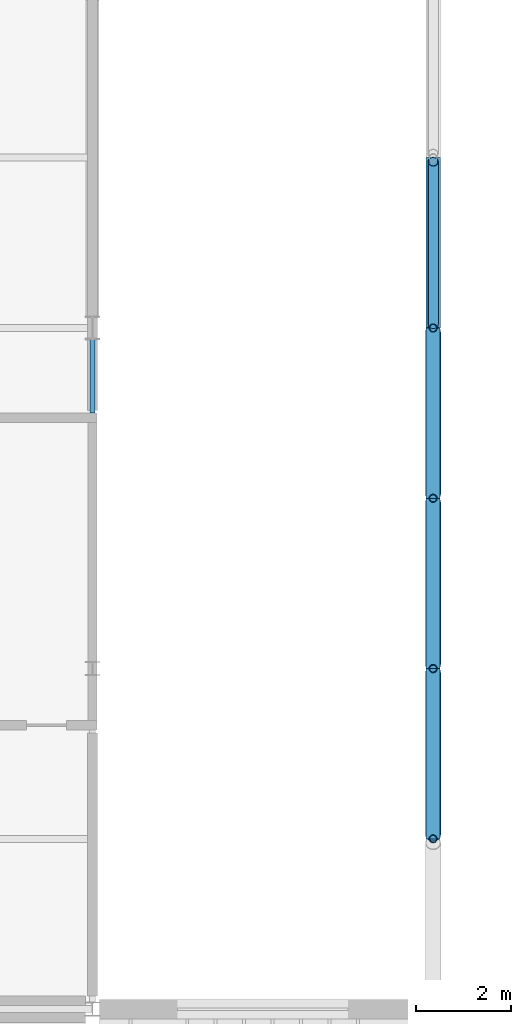
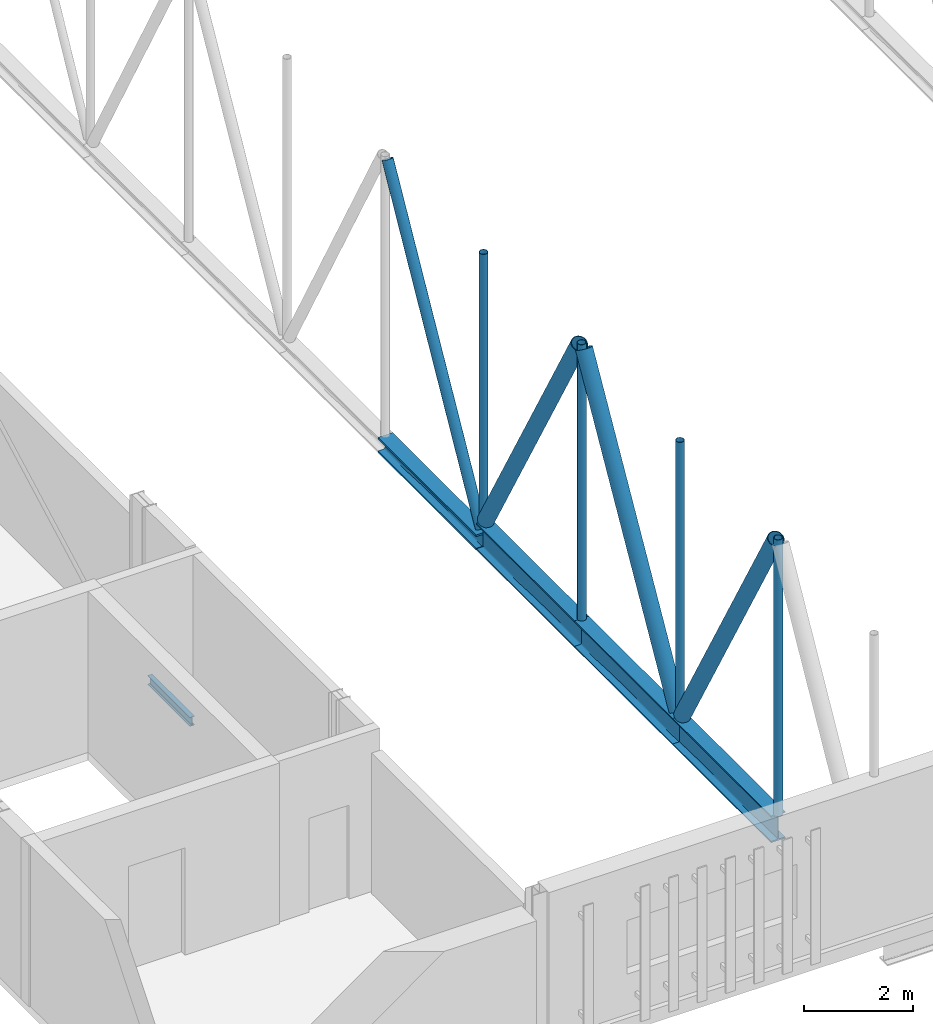
# One storey, part 32 of 142: 12 members, 1 beam.
"""IFC4 building model written with IfcOpenShell, lengths in metres."""

from ifc_helpers import new_model, si_unit, direction, frame, origin, origin_2d, place, context, subcontext, project, spatial, hollow_circle, i_section, extrude, material, material_profile, profile_set, type_object, element, save


model = new_model("IFC4")

# Units and contexts
model_context = context("Model", 3, precision=1e-05, world=origin(), true_north=direction((0.0, 1.0)))
body_context = subcontext(model_context, "Body", "Model", "MODEL_VIEW")
ifc_project = project(units=[si_unit("LENGTHUNIT", "METRE"), si_unit("AREAUNIT", "SQUARE_METRE"), si_unit("VOLUMEUNIT", "CUBIC_METRE"), si_unit("PLANEANGLEUNIT", "RADIAN"), si_unit("MASSUNIT", "GRAM", prefix="KILO")], contexts=[model_context])

# Site, building, storey
site_placement = place(None, origin())
site = spatial("IfcSite", under=ifc_project, at=site_placement, CompositionType="ELEMENT")
building_placement = place(site_placement, origin())
building = spatial("IfcBuilding", under=site, at=building_placement, Name="Kupolbacken Congress Centre", CompositionType="ELEMENT")
storey_placement = place(building_placement, frame((0.0, 0.0, 14.39990234375)))
storey = spatial("IfcBuildingStorey", under=building, at=storey_placement, Name="L04", CompositionType="ELEMENT", Elevation=14.39990234375)

# Beam
ifc_material_1 = material(Name="Steel S355", Category="steel")
ifc_material_profile_1 = material_profile(ifc_material_1, i_section(OverallWidth=0.10009765625, OverallDepth=0.199951171875, WebThickness=0.005615234375, FlangeThickness=0.008544921875, FilletRadius=0.011962890625, at=origin_2d()), Name="IPE 200")
ifc_profile_set_1 = profile_set([ifc_material_profile_1], Name="Steel S355")
beam_type = type_object("IfcBeamType", Name="B01 beam IPE 200", PredefinedType="BEAM", material=ifc_profile_set_1)
beam_placement = place(storey_placement, frame((86.39990234375, 55.800048828125, -0.27978515625), z_axis=(0.0, 1.0, 0.0), x_axis=(-1.0, 0.0, 0.0)))
element("IfcBeam", 1, at=beam_placement, inside=storey, type_object=beam_type, Name="S/floor/LINK/L04/E002", PredefinedType="BEAM", context=body_context, shape_type="SweptSolid", body=[
    extrude(i_section(OverallWidth=0.10009765625, OverallDepth=0.199951171875, WebThickness=0.005615234375, FlangeThickness=0.008544921875, FilletRadius=0.011962890625, at=origin_2d()), origin(), (0.0, 0.0, 1.0), 1.554931640625),
])

# Members
ifc_material_2 = material(Name="Steel S355", Category="steel")
ifc_material_profile_2 = material_profile(ifc_material_2, i_section(OverallWidth=0.31005859375, OverallDepth=0.340087890625, WebThickness=0.02099609375, FlangeThickness=0.0390625, FilletRadius=0.027099609375, at=origin_2d()), Name="HEM 300")
ifc_profile_set_2 = profile_set([ifc_material_profile_2], Name="Steel S355")
member_type_1 = type_object("IfcMemberType", Name="M01 transfer truss chord HEM 300", PredefinedType="CHORD", material=ifc_profile_set_2)
member_1_placement = place(storey_placement, frame((93.60009765625, 57.60009765625, 0.16015625), z_axis=(0.0, 1.0, 0.0), x_axis=(-1.0, 0.0, 0.0)))
element("IfcMember", 2, at=member_1_placement, inside=storey, type_object=member_type_1, Name="HT/T1/BC05", PredefinedType="CHORD", context=body_context, shape_type="SweptSolid", body=[
    extrude(i_section(OverallWidth=0.31005859375, OverallDepth=0.340087890625, WebThickness=0.02099609375, FlangeThickness=0.0390625, FilletRadius=0.027099609375, at=origin_2d()), origin(), (0.0, 0.0, 1.0), 3.599853515625),
])
ifc_material_3 = material(Name="Steel S355", Category="steel")
ifc_material_profile_3 = material_profile(ifc_material_3, i_section(OverallWidth=0.300048828125, OverallDepth=0.60009765625, WebThickness=0.015380859375, FlangeThickness=0.030029296875, FilletRadius=0.027099609375, at=origin_2d()), Name="HEB 600")
ifc_profile_set_3 = profile_set([ifc_material_profile_3], Name="Steel S355")
member_type_2 = type_object("IfcMemberType", Name="M02 transfer truss chord HEB 600", PredefinedType="CHORD", material=ifc_profile_set_3)
member_2_placement = place(storey_placement, frame((93.60009765625, 46.800048828125, 0.2900390625), z_axis=(0.0, 1.0, 0.0), x_axis=(-1.0, 0.0, 0.0)))
element("IfcMember", 3, at=member_2_placement, inside=storey, type_object=member_type_2, Name="HT/T1/BC02", PredefinedType="CHORD", context=body_context, shape_type="SweptSolid", body=[
    extrude(i_section(OverallWidth=0.300048828125, OverallDepth=0.60009765625, WebThickness=0.015380859375, FlangeThickness=0.030029296875, FilletRadius=0.027099609375, at=origin_2d()), origin(), (0.0, 0.0, 1.0), 3.599853515625),
])
for number, where, z_axis, x_axis, name in (
    (4, (93.60009765625, 50.39990234375, 0.2900390625), (0.0, 1.0, 0.0), (-1.0, 0.0, 0.0), "HT/T1/BC03"),
    (5, (93.60009765625, 54.0, 0.2900390625), (0.0, 1.0, 0.0), (-1.0, 0.0, 0.0), "HT/T1/BC04"),
):
    element("IfcMember", number, at=place(storey_placement, frame(where, z_axis=z_axis, x_axis=x_axis)), inside=storey, type_object=member_type_2, Name=name, PredefinedType="CHORD", context=body_context, shape_type="SweptSolid", body=[
        extrude(i_section(OverallWidth=0.300048828125, OverallDepth=0.60009765625, WebThickness=0.015380859375, FlangeThickness=0.030029296875, FilletRadius=0.027099609375, at=origin_2d()), origin(), (0.0, 0.0, 1.0), 3.60009765625),
    ])
ifc_material_4 = material(Name="Steel S355", Category="steel")
ifc_material_profile_4 = material_profile(ifc_material_4, hollow_circle(Radius=0.161865234375, WallThickness=0.012451171875, at=origin_2d()), Name="CHS 323.9 x 12.5")
ifc_profile_set_4 = profile_set([ifc_material_profile_4], Name="Steel S355")
member_type_3 = type_object("IfcMemberType", Name="M04 transfer truss web CHS 323.9 x 12.5", PredefinedType="BRACE", material=ifc_profile_set_4)
member_3_placement = place(storey_placement, frame((93.60009765625, 46.884033203125, 6.69140625), z_axis=(0.0, 0.494482554546, -0.869187553552), x_axis=(-1.0, 0.0, 0.0)))
element("IfcMember", 6, at=member_3_placement, inside=storey, type_object=member_type_3, Name="HT/T1/D02", PredefinedType="BRACE", context=body_context, shape_type="SweptSolid", body=[
    extrude(hollow_circle(Radius=0.161865234375, WallThickness=0.012451171875, at=origin_2d()), origin(), (0.0, 0.0, 1.0), 6.9404296875),
])
for number, where, z_axis, x_axis, name in (
    (7, (93.60009765625, 50.484130859375, 0.658935546875), (0.0, 0.494455978115, 0.869202672399), (-1.0, 0.0, 0.0), "HT/T1/D03"),
    (8, (93.60009765625, 54.084228515625, 6.69140625), (0.0, 0.494455978115, -0.869202672399), (-1.0, 0.0, 0.0), "HT/T1/D04"),
):
    element("IfcMember", number, at=place(storey_placement, frame(where, z_axis=z_axis, x_axis=x_axis)), inside=storey, type_object=member_type_3, Name=name, PredefinedType="BRACE", context=body_context, shape_type="SweptSolid", body=[
        extrude(hollow_circle(Radius=0.161865234375, WallThickness=0.012451171875, at=origin_2d()), origin(), (0.0, 0.0, 1.0), 6.940185546875),
    ])
ifc_material_5 = material(Name="Steel S355", Category="steel")
ifc_material_profile_5 = material_profile(ifc_material_5, hollow_circle(Radius=0.109619140625, WallThickness=0.010009765625, at=origin_2d()), Name="CHS 219.1 x 10")
ifc_profile_set_5 = profile_set([ifc_material_profile_5], Name="Steel S355")
member_type_4 = type_object("IfcMemberType", Name="M05 transfer truss web CHS 219.1 x 10", PredefinedType="BRACE", material=ifc_profile_set_5)
member_4_placement = place(storey_placement, frame((93.60009765625, 57.68408203125, 0.372802734375), z_axis=(0.0, 0.485197410842, 0.87440463889), x_axis=(-1.0, 0.0, 0.0)))
element("IfcMember", 9, at=member_4_placement, inside=storey, type_object=member_type_4, Name="HT/T1/D05", PredefinedType="BRACE", context=body_context, shape_type="SweptSolid", body=[
    extrude(hollow_circle(Radius=0.109619140625, WallThickness=0.010009765625, at=origin_2d()), origin(), (0.0, 0.0, 1.0), 7.0732421875),
])
ifc_material_6 = material(Name="Steel S355", Category="steel")
ifc_material_profile_6 = material_profile(ifc_material_6, hollow_circle(Radius=0.084228515625, WallThickness=0.008056640625, at=origin_2d()), Name="CHS 168.3 x 8")
ifc_profile_set_6 = profile_set([ifc_material_profile_6], Name="Steel S355")
member_type_5 = type_object("IfcMemberType", Name="M20 transfer truss post CHS 168.3 x 8", PredefinedType="STRUT", material=ifc_profile_set_6)
for number, where, z_axis, x_axis, name in (
    (10, (93.60009765625, 46.800048828125, 0.580078125), (0.0, 0.0, 1.0), (0.0, 1.0, 0.0), "HT/T1/P01"),
    (11, (93.60009765625, 50.39990234375, 0.580078125), (0.0, 0.0, 1.0), (0.0, 1.0, 0.0), "HT/T1/P02"),
    (12, (93.60009765625, 54.0, 0.580078125), (0.0, 0.0, 1.0), (0.0, 1.0, 0.0), "HT/T1/P03"),
):
    element("IfcMember", number, at=place(storey_placement, frame(where, z_axis=z_axis, x_axis=x_axis)), inside=storey, type_object=member_type_5, Name=name, PredefinedType="STRUT", context=body_context, shape_type="SweptSolid", body=[
        extrude(hollow_circle(Radius=0.084228515625, WallThickness=0.008056640625, at=origin_2d()), origin(), (0.0, 0.0, 1.0), 6.18994140625),
    ])
member_5_placement = place(storey_placement, frame((93.60009765625, 57.60009765625, 0.580078125), z_axis=(0.0, 0.0, 1.0), x_axis=(0.0, 1.0, 0.0)))
element("IfcMember", 13, at=member_5_placement, inside=storey, type_object=member_type_5, Name="HT/T1/P04", PredefinedType="STRUT", context=body_context, shape_type="SweptSolid", body=[
    extrude(hollow_circle(Radius=0.084228515625, WallThickness=0.008056640625, at=origin_2d()), origin(), (0.0, 0.0, 1.0), 6.030029296875),
])

save(model, "model.ifc")
